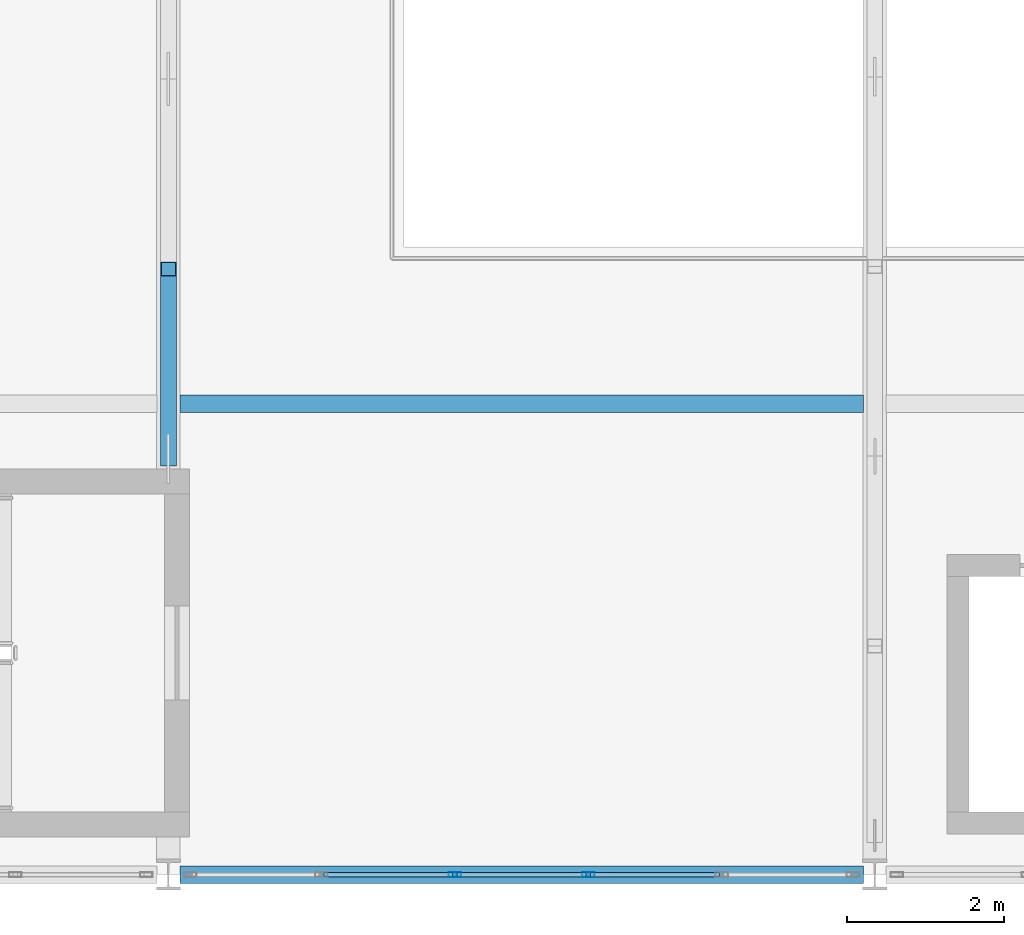
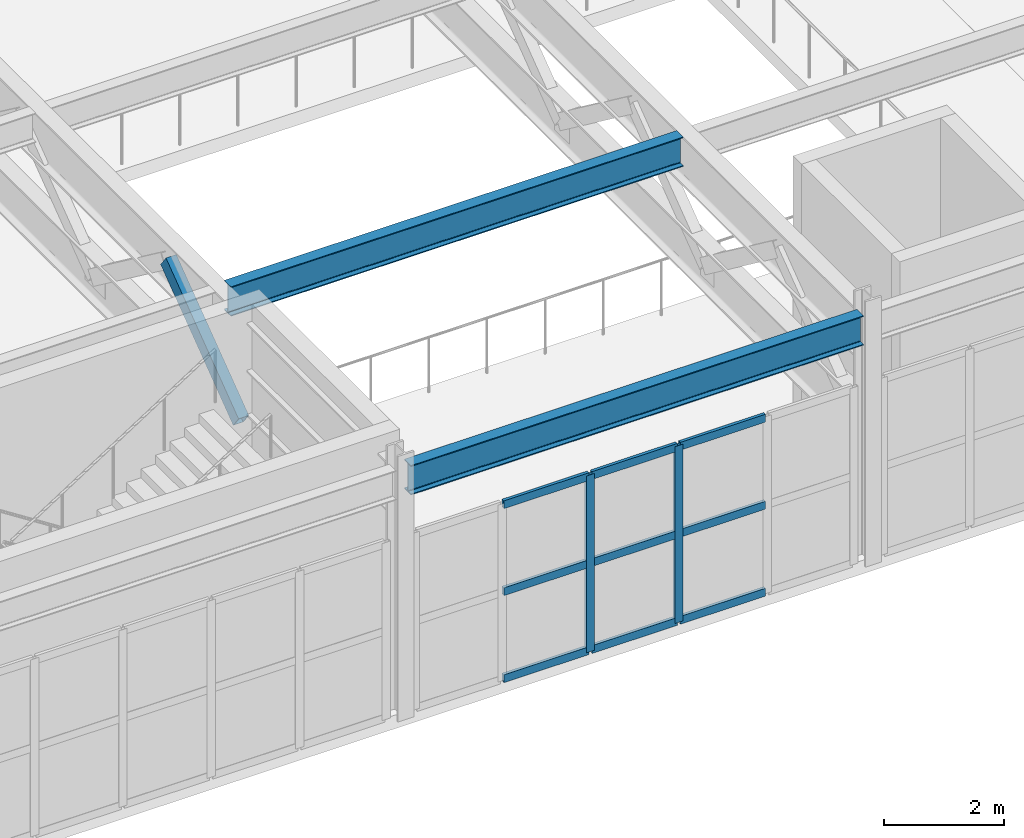
# One storey, part 21 of 210: 12 members, 2 beams, 1 element without a shape of its own.
"""IFC4 building model written with IfcOpenShell, lengths in metres."""

from ifc_helpers import new_model, si_unit, direction, frame, origin, origin_2d, place, context, subcontext, project, spatial, hollow_rectangle, i_section, extrude, material, material_profile, profile_set, type_object, element, aggregate, save


model = new_model("IFC4")

# Units and contexts
model_context = context("Model", 3, precision=1e-05, world=origin(), true_north=direction((0.0, 1.0)))
body_context = subcontext(model_context, "Body", "Model", "MODEL_VIEW")
ifc_project = project(units=[si_unit("LENGTHUNIT", "METRE"), si_unit("AREAUNIT", "SQUARE_METRE"), si_unit("VOLUMEUNIT", "CUBIC_METRE"), si_unit("PLANEANGLEUNIT", "RADIAN"), si_unit("MASSUNIT", "GRAM", prefix="KILO")], contexts=[model_context])

# Site, building, storey
site_placement = place(None, origin())
site = spatial("IfcSite", under=ifc_project, at=site_placement, CompositionType="ELEMENT")
building_placement = place(site_placement, origin())
building = spatial("IfcBuilding", under=site, at=building_placement, Name="Kaldris Quays Convention Centre", CompositionType="ELEMENT")
storey_placement = place(building_placement, frame((0.0, 0.0, 6.0)))
storey = spatial("IfcBuildingStorey", under=building, at=storey_placement, Name="L01", CompositionType="ELEMENT", Elevation=6.0)

# Curtain wall, members
ifc_material_1 = material(Name="Anodized aluminium AW-6060 and triple glazing", Category="aluminium")
curtain_wall_type = type_object("IfcCurtainWallType", Name="UNITISED CURTAIN WALL CW05", PredefinedType="NOTDEFINED", material=ifc_material_1)
curtain_wall_placement = place(storey_placement, origin())
curtain_wall = element("IfcCurtainWall", 1, at=curtain_wall_placement, inside=storey, type_object=curtain_wall_type, Name="L01 Unitised Curtain Wall CW05 61", PredefinedType="NOTDEFINED")
ifc_material_2 = material(Name="Anodized aluminium AW-6060", Category="aluminium")
ifc_material_profile_1 = material_profile(ifc_material_2, hollow_rectangle(XDim=0.06005859375, YDim=0.159912109375, WallThickness=0.00390625, at=origin_2d()), Name="RHS 160x60x4")
ifc_profile_set_1 = profile_set([ifc_material_profile_1], Name="Anodized aluminium AW-6060")
member_type_1 = type_object("IfcMemberType", Name="CURTAIN MULLION CWM1", PredefinedType="MULLION", material=ifc_profile_set_1)
member_1_placement = place(storey_placement, frame((32.64990234375, 16.0, 0.0), z_axis=(0.0, 0.0, 1.0), x_axis=(0.0, 1.0, 0.0)))
member_1 = element("IfcMember", 2, at=member_1_placement, type_object=member_type_1, Name="CW05 mullion 3", PredefinedType="MULLION", context=body_context, shape_type="SweptSolid", body=[
    extrude(hollow_rectangle(XDim=0.06005859375, YDim=0.159912109375, WallThickness=0.00390625, at=origin_2d()), origin(), (0.0, 0.0, 1.0), 3.60009765625),
])
member_2_placement = place(storey_placement, frame((34.35009765625, 16.0, 0.0), z_axis=(0.0, 0.0, 1.0), x_axis=(0.0, 1.0, 0.0)))
member_2 = element("IfcMember", 3, at=member_2_placement, type_object=member_type_1, Name="CW05 mullion 4", PredefinedType="MULLION", context=body_context, shape_type="SweptSolid", body=[
    extrude(hollow_rectangle(XDim=0.06005859375, YDim=0.159912109375, WallThickness=0.00390625, at=origin_2d()), origin(), (0.0, 0.0, 1.0), 3.60009765625),
])
ifc_material_profile_2 = material_profile(ifc_material_2, hollow_rectangle(XDim=0.06005859375, YDim=0.159912109375, WallThickness=0.00390625, at=origin_2d()), Name="RHS 160x60x4")
ifc_profile_set_2 = profile_set([ifc_material_profile_2], Name="Anodized aluminium AW-6060")
member_type_2 = type_object("IfcMemberType", Name="CURTAIN TRANSOM CWT2", PredefinedType="USERDEFINED", material=ifc_profile_set_2)
member_3_placement = place(storey_placement, frame((30.97998046875, 16.0, 0.030029296875), z_axis=(1.0, 0.0, 0.0), x_axis=(0.0, 1.0, 0.0)))
member_3 = element("IfcMember", 4, at=member_3_placement, type_object=member_type_2, Name="CW05 transom 2.1", ObjectType="TRANSOM", PredefinedType="USERDEFINED", context=body_context, shape_type="SweptSolid", body=[
    extrude(hollow_rectangle(XDim=0.06005859375, YDim=0.159912109375, WallThickness=0.00390625, at=origin_2d()), origin(), (0.0, 0.0, 1.0), 1.64013671875),
])
member_4_placement = place(storey_placement, frame((30.97998046875, 16.0, 1.800048828125), z_axis=(1.0, 0.0, 0.0), x_axis=(0.0, 1.0, 0.0)))
member_4 = element("IfcMember", 5, at=member_4_placement, type_object=member_type_2, Name="CW05 transom 2.2", ObjectType="TRANSOM", PredefinedType="USERDEFINED", context=body_context, shape_type="SweptSolid", body=[
    extrude(hollow_rectangle(XDim=0.06005859375, YDim=0.159912109375, WallThickness=0.00390625, at=origin_2d()), origin(), (0.0, 0.0, 1.0), 1.64013671875),
])
member_5_placement = place(storey_placement, frame((30.97998046875, 16.0, 3.570068359375), z_axis=(1.0, 0.0, 0.0), x_axis=(0.0, 1.0, 0.0)))
member_5 = element("IfcMember", 6, at=member_5_placement, type_object=member_type_2, Name="CW05 transom 2.3", ObjectType="TRANSOM", PredefinedType="USERDEFINED", context=body_context, shape_type="SweptSolid", body=[
    extrude(hollow_rectangle(XDim=0.06005859375, YDim=0.159912109375, WallThickness=0.00390625, at=origin_2d()), origin(), (0.0, 0.0, 1.0), 1.64013671875),
])
member_6_placement = place(storey_placement, frame((32.679931640625, 16.0, 0.030029296875), z_axis=(1.0, 0.0, 0.0), x_axis=(0.0, 1.0, 0.0)))
member_6 = element("IfcMember", 7, at=member_6_placement, type_object=member_type_2, Name="CW05 transom 3.1", ObjectType="TRANSOM", PredefinedType="USERDEFINED", context=body_context, shape_type="SweptSolid", body=[
    extrude(hollow_rectangle(XDim=0.06005859375, YDim=0.159912109375, WallThickness=0.00390625, at=origin_2d()), origin(), (0.0, 0.0, 1.0), 1.64013671875),
])
member_7_placement = place(storey_placement, frame((32.679931640625, 16.0, 1.800048828125), z_axis=(1.0, 0.0, 0.0), x_axis=(0.0, 1.0, 0.0)))
member_7 = element("IfcMember", 8, at=member_7_placement, type_object=member_type_2, Name="CW05 transom 3.2", ObjectType="TRANSOM", PredefinedType="USERDEFINED", context=body_context, shape_type="SweptSolid", body=[
    extrude(hollow_rectangle(XDim=0.06005859375, YDim=0.159912109375, WallThickness=0.00390625, at=origin_2d()), origin(), (0.0, 0.0, 1.0), 1.64013671875),
])
member_8_placement = place(storey_placement, frame((32.679931640625, 16.0, 3.570068359375), z_axis=(1.0, 0.0, 0.0), x_axis=(0.0, 1.0, 0.0)))
member_8 = element("IfcMember", 9, at=member_8_placement, type_object=member_type_2, Name="CW05 transom 3.3", ObjectType="TRANSOM", PredefinedType="USERDEFINED", context=body_context, shape_type="SweptSolid", body=[
    extrude(hollow_rectangle(XDim=0.06005859375, YDim=0.159912109375, WallThickness=0.00390625, at=origin_2d()), origin(), (0.0, 0.0, 1.0), 1.64013671875),
])
member_9_placement = place(storey_placement, frame((34.3798828125, 16.0, 0.030029296875), z_axis=(1.0, 0.0, 0.0), x_axis=(0.0, 1.0, 0.0)))
member_9 = element("IfcMember", 10, at=member_9_placement, type_object=member_type_2, Name="CW05 transom 4.1", ObjectType="TRANSOM", PredefinedType="USERDEFINED", context=body_context, shape_type="SweptSolid", body=[
    extrude(hollow_rectangle(XDim=0.06005859375, YDim=0.159912109375, WallThickness=0.00390625, at=origin_2d()), origin(), (0.0, 0.0, 1.0), 1.64013671875),
])
member_10_placement = place(storey_placement, frame((34.3798828125, 16.0, 1.800048828125), z_axis=(1.0, 0.0, 0.0), x_axis=(0.0, 1.0, 0.0)))
member_10 = element("IfcMember", 11, at=member_10_placement, type_object=member_type_2, Name="CW05 transom 4.2", ObjectType="TRANSOM", PredefinedType="USERDEFINED", context=body_context, shape_type="SweptSolid", body=[
    extrude(hollow_rectangle(XDim=0.06005859375, YDim=0.159912109375, WallThickness=0.00390625, at=origin_2d()), origin(), (0.0, 0.0, 1.0), 1.64013671875),
])
member_11_placement = place(storey_placement, frame((34.3798828125, 16.0, 3.570068359375), z_axis=(1.0, 0.0, 0.0), x_axis=(0.0, 1.0, 0.0)))
member_11 = element("IfcMember", 12, at=member_11_placement, type_object=member_type_2, Name="CW05 transom 4.3", ObjectType="TRANSOM", PredefinedType="USERDEFINED", context=body_context, shape_type="SweptSolid", body=[
    extrude(hollow_rectangle(XDim=0.06005859375, YDim=0.159912109375, WallThickness=0.00390625, at=origin_2d()), origin(), (0.0, 0.0, 1.0), 1.64013671875),
])
aggregate(curtain_wall, [member_1, member_2, member_3, member_4, member_5, member_6, member_7, member_8, member_9, member_10, member_11])

# Beams
ifc_material_3 = material(Name="Steel S355J2", Category="steel")
ifc_material_profile_3 = material_profile(ifc_material_3, i_section(OverallWidth=0.219970703125, OverallDepth=0.60009765625, WebThickness=0.011962890625, FlangeThickness=0.01904296875, FilletRadius=0.02392578125, at=origin_2d()), Name="IPE 600")
ifc_profile_set_3 = profile_set([ifc_material_profile_3], Name="Steel S355J2")
beam_type = type_object("IfcBeamType", Name="STRUCTURAL BEAM BM10", PredefinedType="BEAM", material=ifc_profile_set_3)
for number, where, z_axis, x_axis, name in (
    (13, (29.14501953125, 16.0, 4.758056640625), (1.0, 0.0, 0.0), (0.0, 1.0, 0.0), "L01 Ballroom Tie Beam BM10"),
    (14, (29.14501953125, 22.0, 4.758056640625), (1.0, 0.0, 0.0), (0.0, 1.0, 0.0), "L01 Ballroom Tie Beam BM10"),
):
    element("IfcBeam", number, at=place(storey_placement, frame(where, z_axis=z_axis, x_axis=x_axis)), inside=storey, type_object=beam_type, Name=name, PredefinedType="BEAM", context=body_context, shape_type="SweptSolid", body=[
        extrude(i_section(OverallWidth=0.219970703125, OverallDepth=0.60009765625, WebThickness=0.011962890625, FlangeThickness=0.01904296875, FilletRadius=0.02392578125, at=origin_2d()), origin(), (0.0, 0.0, 1.0), 8.7099609375),
    ])

# Member
ifc_material_4 = material(Name="Steel S355J2H", Category="steel")
ifc_material_profile_4 = material_profile(ifc_material_4, hollow_rectangle(XDim=0.199951171875, YDim=0.300048828125, WallThickness=0.012451171875, at=origin_2d()), Name="RHS 300x200x12.5")
ifc_profile_set_4 = profile_set([ifc_material_profile_4], Name="Steel S355J2H")
member_type_3 = type_object("IfcMemberType", Name="STRUCTURAL MEMBER TTD1", PredefinedType="BRACE", material=ifc_profile_set_4)
member_12_placement = place(storey_placement, frame((29.0, 21.300048828125, 2.75), z_axis=(0.0, 0.801084905857, 0.598550727681), x_axis=(-1.0, 0.0, 0.0)))
element("IfcMember", 15, at=member_12_placement, inside=storey, type_object=member_type_3, Name="Transfer Truss TT02 Diagonal 1", PredefinedType="BRACE", context=body_context, shape_type="SweptSolid", body=[
    extrude(hollow_rectangle(XDim=0.199951171875, YDim=0.300048828125, WallThickness=0.012451171875, at=origin_2d()), origin(), (0.0, 0.0, 1.0), 3.020751953125),
])

save(model, "model.ifc")
